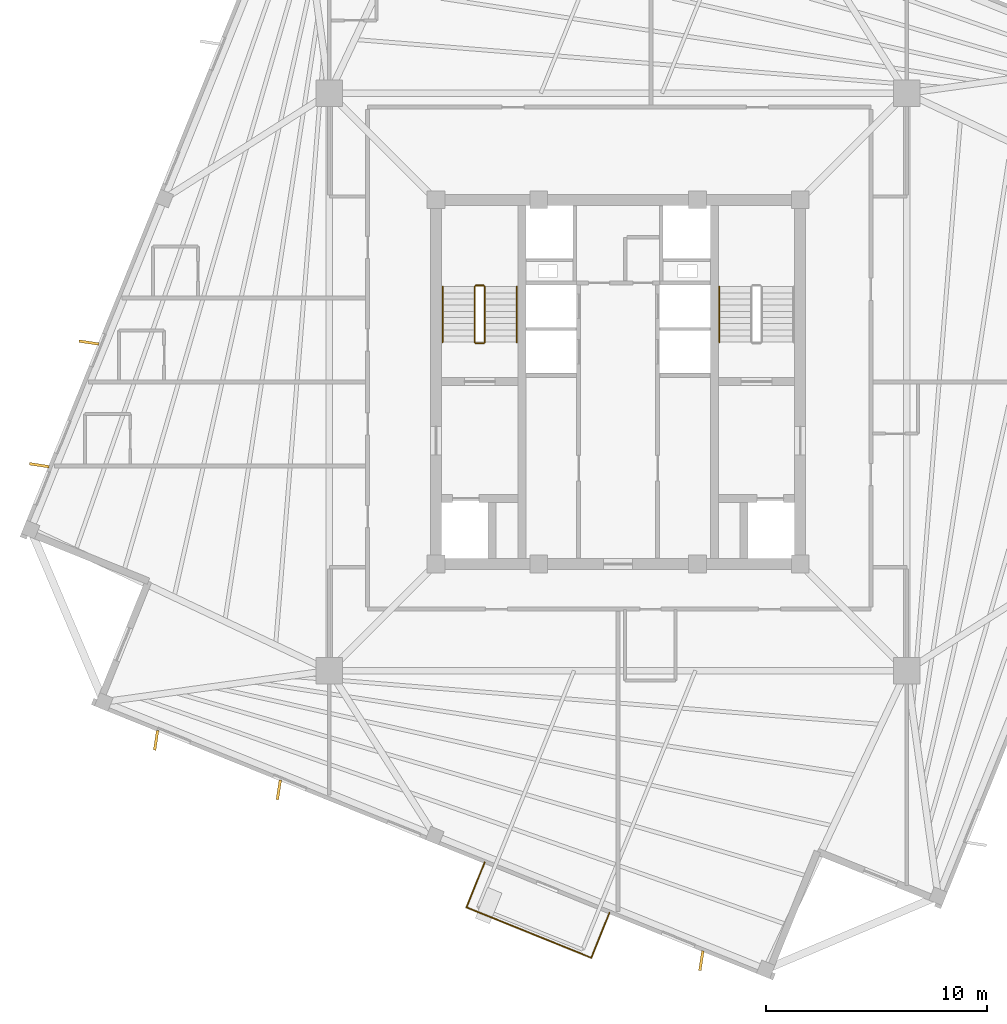
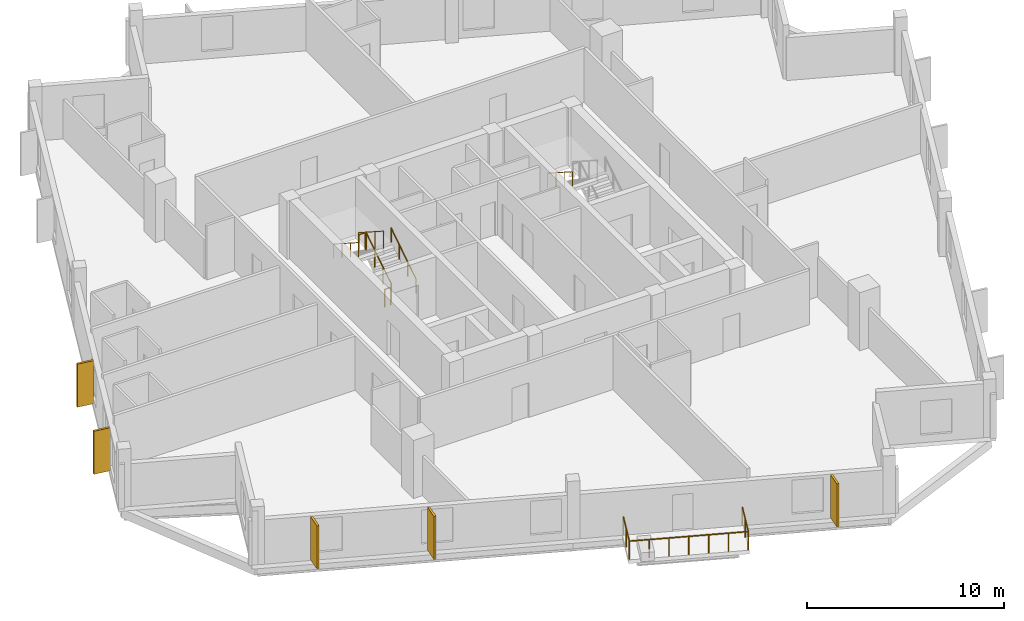
# One storey, part 6 of 8: 10 railings, 5 coverings.
"""IFC4 building model written with IfcOpenShell, lengths in metres."""

from ifc_helpers import new_model, si_unit, direction, frame, origin, origin_2d, place, context, subcontext, project, spatial, rectangle, circle, extrude, source, transform, mapped, material, layer, layer_set, type_object, element, save


model = new_model("IFC4")

# Units and contexts
model_context = context("Model", 3, precision=1e-05, world=origin(), true_north=direction((0.0, 1.0)))
body_context = subcontext(model_context, "Body", "Model", "MODEL_VIEW")
ifc_project = project(units=[si_unit("LENGTHUNIT", "METRE"), si_unit("AREAUNIT", "SQUARE_METRE"), si_unit("VOLUMEUNIT", "CUBIC_METRE"), si_unit("PLANEANGLEUNIT", "RADIAN"), si_unit("MASSUNIT", "GRAM", prefix="KILO"), si_unit("THERMODYNAMICTEMPERATUREUNIT", "KELVIN")], contexts=[model_context])

# Site, building, storey
site_placement = place(None, origin())
site = spatial("IfcSite", under=ifc_project, at=site_placement, CompositionType="ELEMENT")
building_placement = place(site_placement, origin())
building = spatial("IfcBuilding", under=site, at=building_placement, Name="Kosmvard Interchange Tower", CompositionType="ELEMENT")
storey_placement = place(building_placement, frame((0.0, 0.0, 286.800048828125)))
storey = spatial("IfcBuildingStorey", under=building, at=storey_placement, Name="L70", CompositionType="ELEMENT", Elevation=286.800048828125)

# Coverings
ifc_material_1 = material(Name="Architectural anodised aluminium", Category="aluminium")
ifc_layer = layer(ifc_material_1, 0.1201171875, Name="Architectural anodised aluminium")
ifc_layer_set = layer_set([ifc_layer], Name="Architectural anodised aluminium")
covering_type = type_object("IfcCoveringType", Name="Rotating Vertical Sun-Breaker Fin 900x120 Aluminium", PredefinedType="CLADDING", material=ifc_layer_set)
shared_shape_1 = source(origin(), body_context, "Body", "SweptSolid", [
    extrude(rectangle(XDim=0.89990234375, YDim=0.1201171875, at=origin_2d()), origin(), (0.0, 0.0, 1.0), 2.669921875),
])
for number, where, z_axis, x_axis, name in (
    (1, (-23.977783203125, 1.783935546875, 0.0400390625), (0.0, 0.0, 1.0), (-0.988493886809, 0.151260820247, 0.0), "L70 Rotating Vertical Sun-Breaker Fin 10"),
    (2, (-26.223876953125, -3.775390625, 0.0400390625), (0.0, 0.0, 1.0), (-0.988493886809, 0.151260820247, 0.0), "L70 Rotating Vertical Sun-Breaker Fin 11"),
    (3, (-20.932373046875, -16.2412109375, 0.0400390625), (0.0, 0.0, 1.0), (-0.151260820247, -0.988493886809, 0.0), "L70 Rotating Vertical Sun-Breaker Fin 12"),
    (4, (-15.373046875, -18.4873046875, 0.0400390625), (0.0, 0.0, 1.0), (-0.151260820247, -0.988493886809, 0.0), "L70 Rotating Vertical Sun-Breaker Fin 13"),
    (5, (3.775390625, -26.223876953125, 0.0400390625), (0.0, 0.0, 1.0), (-0.151260820247, -0.988493886809, 0.0), "L70 Rotating Vertical Sun-Breaker Fin 14"),
):
    element("IfcCovering", number, at=place(storey_placement, frame(where, z_axis=z_axis, x_axis=x_axis)), inside=storey, type_object=covering_type, Name=name, PredefinedType="CLADDING", context=body_context, shape_type="MappedRepresentation", body=[
        mapped(shared_shape_1, transform((0.0, 0.0, 0.0), scale=1.0)),
    ])

# Railings
ifc_material_2 = material(Name="Steel S355", Category="steel")
railing_type_1 = type_object("IfcRailingType", Name="Observation & Balcony Glass-Infill Balustrade 1150", PredefinedType="BALUSTRADE", material=ifc_material_2)
shared_shape_2 = source(origin(), body_context, "Body", "SweptSolid", [
    extrude(circle(Radius=0.02392578125, at=origin_2d()), frame((0.0, 0.0, 1.1259765625), z_axis=(0.374545618852, 0.927208487558, 0.0), x_axis=(-0.927208487558, 0.374545618852, 0.0)), (0.0, 0.0, 1.0), 2.199951171875),
    extrude(circle(Radius=0.02099609375, at=origin_2d()), origin(), (0.0, 0.0, 1.0), 1.101806640625),
    extrude(circle(Radius=0.02099609375, at=origin_2d()), frame((0.412109375, 1.02001953125, 0.0)), (0.0, 0.0, 1.0), 1.101806640625),
    extrude(circle(Radius=0.02099609375, at=origin_2d()), frame((0.823974609375, 2.039794921875, 0.0)), (0.0, 0.0, 1.0), 1.101806640625),
])
railing_1_placement = place(storey_placement, frame((-1.2138671875, -26.095458984375, 0.0)))
element("IfcRailing", 6, at=railing_1_placement, inside=storey, type_object=railing_type_1, Name="L70 Outdoor Terrace Guard BAL-L70-W-C", PredefinedType="BALUSTRADE", context=body_context, shape_type="MappedRepresentation", body=[
    mapped(shared_shape_2, transform((0.0, 0.0, 0.0), scale=1.0)),
])
shared_shape_3 = source(origin(), body_context, "Body", "SweptSolid", [
    extrude(circle(Radius=0.02392578125, at=origin_2d()), frame((0.0, 0.0, 1.1259765625), z_axis=(-0.374545618852, -0.927208487558, 0.0), x_axis=(0.927208487558, -0.374545618852, 0.0)), (0.0, 0.0, 1.0), 2.199951171875),
    extrude(circle(Radius=0.02099609375, at=origin_2d()), origin(), (0.0, 0.0, 1.0), 1.101806640625),
    extrude(circle(Radius=0.02099609375, at=origin_2d()), frame((-0.412109375, -1.02001953125, 0.0)), (0.0, 0.0, 1.0), 1.101806640625),
    extrude(circle(Radius=0.02099609375, at=origin_2d()), frame((-0.823974609375, -2.039794921875, 0.0)), (0.0, 0.0, 1.0), 1.101806640625),
])
railing_2_placement = place(storey_placement, frame((-6.045654296875, -21.7705078125, 0.0)))
element("IfcRailing", 7, at=railing_2_placement, inside=storey, type_object=railing_type_1, Name="L70 Outdoor Terrace Guard BAL-L70-W-A", PredefinedType="BALUSTRADE", context=body_context, shape_type="MappedRepresentation", body=[
    mapped(shared_shape_3, transform((0.0, 0.0, 0.0), scale=1.0)),
])
shared_shape_4 = source(origin(), body_context, "Body", "SweptSolid", [
    extrude(circle(Radius=0.02392578125, at=origin_2d()), frame((0.0, 0.0, 1.1259765625), z_axis=(0.927179288599, -0.374617894384, 0.0), x_axis=(0.374617894384, 0.927179288599, 0.0)), (0.0, 0.0, 1.0), 6.099853515625),
    extrude(circle(Radius=0.02099609375, at=origin_2d()), origin(), (0.0, 0.0, 1.0), 1.101806640625),
    extrude(circle(Radius=0.02099609375, at=origin_2d()), frame((0.942626953125, -0.380859375, 0.0)), (0.0, 0.0, 1.0), 1.101806640625),
    extrude(circle(Radius=0.02099609375, at=origin_2d()), frame((1.88525390625, -0.76171875, 0.0)), (0.0, 0.0, 1.0), 1.101806640625),
    extrude(circle(Radius=0.02099609375, at=origin_2d()), frame((2.827880859375, -1.142578125, 0.0)), (0.0, 0.0, 1.0), 1.101806640625),
    extrude(circle(Radius=0.02099609375, at=origin_2d()), frame((3.7705078125, -1.5234375, 0.0)), (0.0, 0.0, 1.0), 1.101806640625),
    extrude(circle(Radius=0.02099609375, at=origin_2d()), frame((4.713134765625, -1.904296875, 0.0)), (0.0, 0.0, 1.0), 1.101806640625),
    extrude(circle(Radius=0.02099609375, at=origin_2d()), frame((5.65576171875, -2.28515625, 0.0)), (0.0, 0.0, 1.0), 1.101806640625),
])
railing_3_placement = place(storey_placement, frame((-6.86962890625, -23.810302734375, 0.0)))
element("IfcRailing", 8, at=railing_3_placement, inside=storey, type_object=railing_type_1, Name="L70 Outdoor Terrace Guard BAL-L70-W-B", PredefinedType="BALUSTRADE", context=body_context, shape_type="MappedRepresentation", body=[
    mapped(shared_shape_4, transform((0.0, 0.0, 0.0), scale=1.0)),
])
railing_type_2 = type_object("IfcRailingType", Name="Stair & Terrace Safety Guardrail 1100 Steel", PredefinedType="GUARDRAIL", material=ifc_material_2)
shared_shape_5 = source(origin(), body_context, "Body", "SweptSolid", [
    extrude(circle(Radius=0.02392578125, at=origin_2d()), frame((0.0, 0.0, 1.076171875), z_axis=(-1.0, 0.0, 0.0), x_axis=(0.0, -1.0, 0.0)), (0.0, 0.0, 1.0), 0.35986328125),
    extrude(circle(Radius=0.02099609375, at=origin_2d()), origin(), (0.0, 0.0, 1.0), 1.052001953125),
    extrude(circle(Radius=0.02099609375, at=origin_2d()), frame((-0.35986328125, 0.0, 0.0)), (0.0, 0.0, 1.0), 1.052001953125),
])
for number, where, name in (
    (9, (-6.090087890625, 4.3701171875, 1.800048828125), "L70 ST-1 stair guard 2"),
    (10, (-6.090087890625, 1.75, 0.0), "L70 ST-1 stair guard 4"),
):
    element("IfcRailing", number, at=place(storey_placement, frame(where)), inside=storey, type_object=railing_type_2, Name=name, PredefinedType="GUARDRAIL", context=body_context, shape_type="MappedRepresentation", body=[
        mapped(shared_shape_5, transform((0.0, 0.0, 0.0), scale=1.0)),
    ])
shared_shape_6 = source(origin(), body_context, "Body", "SweptSolid", [
    extrude(circle(Radius=0.02392578125, at=origin_2d()), frame((0.0, 0.0, 1.076171875), z_axis=(0.0, 0.841162588446, 0.540782303519), x_axis=(-1.0, 0.0, 0.0)), (0.0, 0.0, 1.0), 2.995849609375),
    extrude(circle(Radius=0.02099609375, at=origin_2d()), origin(), (0.0, 0.0, 1.0), 1.052001953125),
    extrude(circle(Radius=0.02099609375, at=origin_2d()), frame((0.0, 0.840087890625, 0.5400390625)), (0.0, 0.0, 1.0), 1.052001953125),
    extrude(circle(Radius=0.02099609375, at=origin_2d()), frame((0.0, 1.679931640625, 1.080078125)), (0.0, 0.0, 1.0), 1.052001953125),
    extrude(circle(Radius=0.02099609375, at=origin_2d()), frame((0.0, 2.52001953125, 1.6201171875)), (0.0, 0.0, 1.0), 1.052001953125),
])
railing_4_placement = place(storey_placement, frame((-6.0400390625, 1.800048828125, 0.179931640625)))
element("IfcRailing", 11, at=railing_4_placement, inside=storey, type_object=railing_type_2, Name="L70 ST-1 stair guard 1", PredefinedType="GUARDRAIL", context=body_context, shape_type="MappedRepresentation", body=[
    mapped(shared_shape_6, transform((0.0, 0.0, 0.0), scale=1.0)),
])
railing_type_3 = type_object("IfcRailingType", Name="Wall-Mounted Stair Handrail 900 Steel", PredefinedType="HANDRAIL", material=ifc_material_2)
shared_shape_7 = source(origin(), body_context, "Body", "SweptSolid", [
    extrude(circle(Radius=0.02392578125, at=origin_2d()), frame((0.0, 0.0, 0.8759765625), z_axis=(0.0, 0.841162588446, 0.540782303519), x_axis=(-1.0, 0.0, 0.0)), (0.0, 0.0, 1.0), 2.995849609375),
    extrude(circle(Radius=0.02099609375, at=origin_2d()), origin(), (0.0, 0.0, 1.0), 0.851806640625),
    extrude(circle(Radius=0.02099609375, at=origin_2d()), frame((0.0, 0.840087890625, 0.5400390625)), (0.0, 0.0, 1.0), 0.851806640625),
    extrude(circle(Radius=0.02099609375, at=origin_2d()), frame((0.0, 1.679931640625, 1.080078125)), (0.0, 0.0, 1.0), 0.851806640625),
    extrude(circle(Radius=0.02099609375, at=origin_2d()), frame((0.0, 2.52001953125, 1.6201171875)), (0.0, 0.0, 1.0), 0.851806640625),
])
railing_5_placement = place(storey_placement, frame((-4.590087890625, 1.800048828125, 0.179931640625)))
element("IfcRailing", 12, at=railing_5_placement, inside=storey, type_object=railing_type_3, Name="L70 ST-1 stair handrail 1", PredefinedType="HANDRAIL", context=body_context, shape_type="MappedRepresentation", body=[
    mapped(shared_shape_7, transform((0.0, 0.0, 0.0), scale=1.0)),
])
shared_shape_8 = source(origin(), body_context, "Body", "SweptSolid", [
    extrude(circle(Radius=0.02392578125, at=origin_2d()), frame((0.0, 0.0, 1.076171875), z_axis=(0.0, -0.841199657755, 0.540724639528), x_axis=(1.0, 0.0, 0.0)), (0.0, 0.0, 1.0), 2.995849609375),
    extrude(circle(Radius=0.02099609375, at=origin_2d()), origin(), (0.0, 0.0, 1.0), 1.052001953125),
    extrude(circle(Radius=0.02099609375, at=origin_2d()), frame((0.0, -0.840087890625, 0.5400390625)), (0.0, 0.0, 1.0), 1.052001953125),
    extrude(circle(Radius=0.02099609375, at=origin_2d()), frame((0.0, -1.679931640625, 1.079833984375)), (0.0, 0.0, 1.0), 1.052001953125),
    extrude(circle(Radius=0.02099609375, at=origin_2d()), frame((0.0, -2.52001953125, 1.619873046875)), (0.0, 0.0, 1.0), 1.052001953125),
])
railing_6_placement = place(storey_placement, frame((-6.5, 4.320068359375, 1.97998046875)))
element("IfcRailing", 13, at=railing_6_placement, inside=storey, type_object=railing_type_2, Name="L70 ST-1 stair guard 3", PredefinedType="GUARDRAIL", context=body_context, shape_type="MappedRepresentation", body=[
    mapped(shared_shape_8, transform((0.0, 0.0, 0.0), scale=1.0)),
])
shared_shape_9 = source(origin(), body_context, "Body", "SweptSolid", [
    extrude(circle(Radius=0.02392578125, at=origin_2d()), frame((0.0, 0.0, 0.8759765625), z_axis=(0.0, -0.841199657755, 0.540724639528), x_axis=(1.0, 0.0, 0.0)), (0.0, 0.0, 1.0), 2.995849609375),
    extrude(circle(Radius=0.02099609375, at=origin_2d()), origin(), (0.0, 0.0, 1.0), 0.851806640625),
    extrude(circle(Radius=0.02099609375, at=origin_2d()), frame((0.0, -0.840087890625, 0.5400390625)), (0.0, 0.0, 1.0), 0.851806640625),
    extrude(circle(Radius=0.02099609375, at=origin_2d()), frame((0.0, -1.679931640625, 1.079833984375)), (0.0, 0.0, 1.0), 0.851806640625),
    extrude(circle(Radius=0.02099609375, at=origin_2d()), frame((0.0, -2.52001953125, 1.619873046875)), (0.0, 0.0, 1.0), 0.851806640625),
])
for number, where, name in (
    (14, (-7.949951171875, 4.320068359375, 1.97998046875), "L70 ST-1 stair handrail 2"),
    (15, (4.590087890625, 4.320068359375, 1.97998046875), "L70 ST-2 stair handrail 2"),
):
    element("IfcRailing", number, at=place(storey_placement, frame(where)), inside=storey, type_object=railing_type_3, Name=name, PredefinedType="HANDRAIL", context=body_context, shape_type="MappedRepresentation", body=[
        mapped(shared_shape_9, transform((0.0, 0.0, 0.0), scale=1.0)),
    ])

save(model, "model.ifc")
